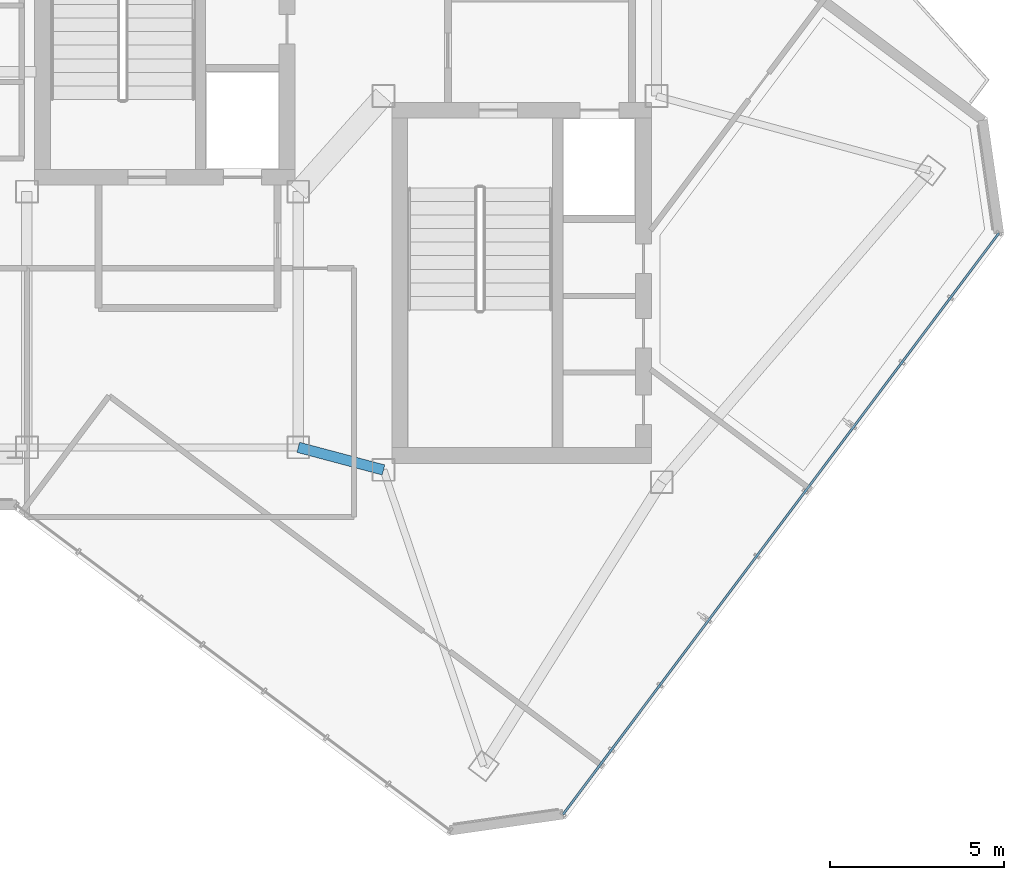
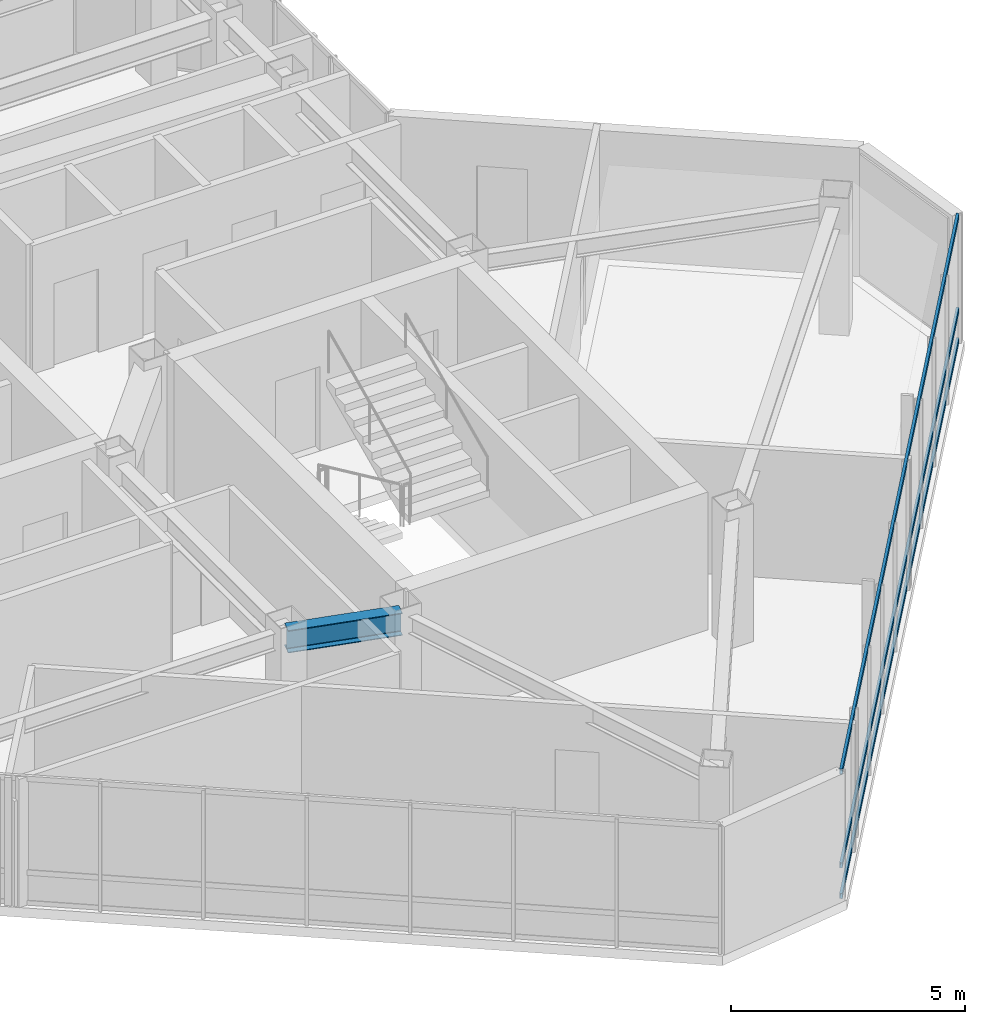
# One storey, part 6 of 22: 3 members, 1 beam, 1 element without a shape of its own.
"""IFC4 building model written with IfcOpenShell, lengths in metres."""

from ifc_helpers import new_model, si_unit, direction, frame, origin, origin_2d, place, context, subcontext, project, spatial, hollow_rectangle, i_section, extrude, material, layer, layer_set, material_profile, profile_set, type_object, element, aggregate, save


model = new_model("IFC4")

# Units and contexts
model_context = context("Model", 3, precision=1e-05, world=origin(), true_north=direction((0.0, 1.0)))
body_context = subcontext(model_context, "Body", "Model", "MODEL_VIEW")
ifc_project = project(units=[si_unit("LENGTHUNIT", "METRE"), si_unit("AREAUNIT", "SQUARE_METRE"), si_unit("VOLUMEUNIT", "CUBIC_METRE"), si_unit("PLANEANGLEUNIT", "RADIAN"), si_unit("MASSUNIT", "GRAM", prefix="KILO")], contexts=[model_context])

# Site, building, storey
site_placement = place(None, origin())
site = spatial("IfcSite", under=ifc_project, at=site_placement, CompositionType="ELEMENT")
building_placement = place(site_placement, origin())
building = spatial("IfcBuilding", under=site, at=building_placement, Name="Hatsunagi Terrace Concourse", CompositionType="ELEMENT")
storey_placement = place(building_placement, frame((0.0, 0.0, 239.550048828125)))
storey = spatial("IfcBuildingStorey", under=building, at=storey_placement, Name="L63", CompositionType="ELEMENT", Elevation=239.550048828125)

# Curtain wall, members
ifc_material_1 = material(Name="Anodised Aluminium Alloy 6063-T5", Category="aluminium")
ifc_layer = layer(ifc_material_1, 0.199951171875)
ifc_layer_set = layer_set([ifc_layer], Name="OfficeZone2_CW04")
curtain_wall_type = type_object("IfcCurtainWallType", Name="OfficeZone2_CW04", PredefinedType="NOTDEFINED", material=ifc_layer_set)
curtain_wall_placement = place(storey_placement, origin())
curtain_wall = element("IfcCurtainWall", 1, at=curtain_wall_placement, inside=storey, type_object=curtain_wall_type, Name="Unitised Curtain Wall CW-04 CW-L63-03", PredefinedType="NOTDEFINED")
ifc_material_2 = material(Name="Anodised Aluminium Alloy 6063-T5", Category="aluminium")
ifc_material_profile_1 = material_profile(ifc_material_2, hollow_rectangle(XDim=0.06494140625, YDim=0.139892578125, WallThickness=0.00390625, at=origin_2d()), Name="ALU-TRN-140x65x4")
ifc_profile_set_1 = profile_set([ifc_material_profile_1], Name="Anodised Aluminium Alloy 6063-T5")
member_type = type_object("IfcMemberType", Name="CurtainWallTransom_140x65", PredefinedType="USERDEFINED", material=ifc_profile_set_1)
member_1_placement = place(storey_placement, frame((53.492919921875, 31.35791015625, 0.050048828125), z_axis=(-0.599970072971, -0.800022444397, 0.0), x_axis=(0.800022444397, -0.599970072971, 0.0)))
member_1 = element("IfcMember", 2, at=member_1_placement, type_object=member_type, Name="Curtain Wall Transom TRN-02", ObjectType="TRANSOM", PredefinedType="USERDEFINED", context=body_context, shape_type="SweptSolid", body=[
    extrude(hollow_rectangle(XDim=0.06494140625, YDim=0.139892578125, WallThickness=0.00390625, at=origin_2d()), origin(), (0.0, 0.0, 1.0), 20.884521484375),
])
member_2_placement = place(storey_placement, frame((53.492919921875, 31.35791015625, 0.849853515625), z_axis=(-0.599970072971, -0.800022444397, 0.0), x_axis=(0.800022444397, -0.599970072971, 0.0)))
member_2 = element("IfcMember", 3, at=member_2_placement, type_object=member_type, Name="Curtain Wall Transom TRN-02", ObjectType="TRANSOM", PredefinedType="USERDEFINED", context=body_context, shape_type="SweptSolid", body=[
    extrude(hollow_rectangle(XDim=0.06494140625, YDim=0.139892578125, WallThickness=0.00390625, at=origin_2d()), origin(), (0.0, 0.0, 1.0), 20.884521484375),
])
member_3_placement = place(storey_placement, frame((53.492919921875, 31.35791015625, 3.300048828125), z_axis=(-0.599970072971, -0.800022444397, 0.0), x_axis=(0.800022444397, -0.599970072971, 0.0)))
member_3 = element("IfcMember", 4, at=member_3_placement, type_object=member_type, Name="Curtain Wall Transom TRN-02", ObjectType="TRANSOM", PredefinedType="USERDEFINED", context=body_context, shape_type="SweptSolid", body=[
    extrude(hollow_rectangle(XDim=0.06494140625, YDim=0.139892578125, WallThickness=0.00390625, at=origin_2d()), origin(), (0.0, 0.0, 1.0), 20.884521484375),
])
aggregate(curtain_wall, [member_1, member_2, member_3])

# Beam
ifc_material_3 = material(Name="Steel SN490B", Category="steel")
ifc_material_profile_2 = material_profile(ifc_material_3, i_section(OverallWidth=0.300048828125, OverallDepth=0.587890625, WebThickness=0.011962890625, FlangeThickness=0.02001953125, FilletRadius=0.01806640625, at=origin_2d()), Name="H-588x300x12x20")
ifc_profile_set_2 = profile_set([ifc_material_profile_2], Name="Steel SN490B")
beam_type = type_object("IfcBeamType", Name="OfficeHighGirder_H_588x300", PredefinedType="BEAM", material=ifc_profile_set_2)
beam_placement = place(storey_placement, frame((33.35009765625, 25.199951171875, 3.055908203125), z_axis=(0.966569840116, -0.256403479262, 0.0), x_axis=(0.256403479262, 0.966569840116, 0.0)))
element("IfcBeam", 5, at=beam_placement, inside=storey, type_object=beam_type, Name="Beam G-06 BM-L63-K2CB", PredefinedType="BEAM", context=body_context, shape_type="SweptSolid", body=[
    extrude(i_section(OverallWidth=0.300048828125, OverallDepth=0.587890625, WebThickness=0.011962890625, FlangeThickness=0.02001953125, FilletRadius=0.01806640625, at=origin_2d()), origin(), (0.0, 0.0, 1.0), 2.53466796875),
])

save(model, "model.ifc")
